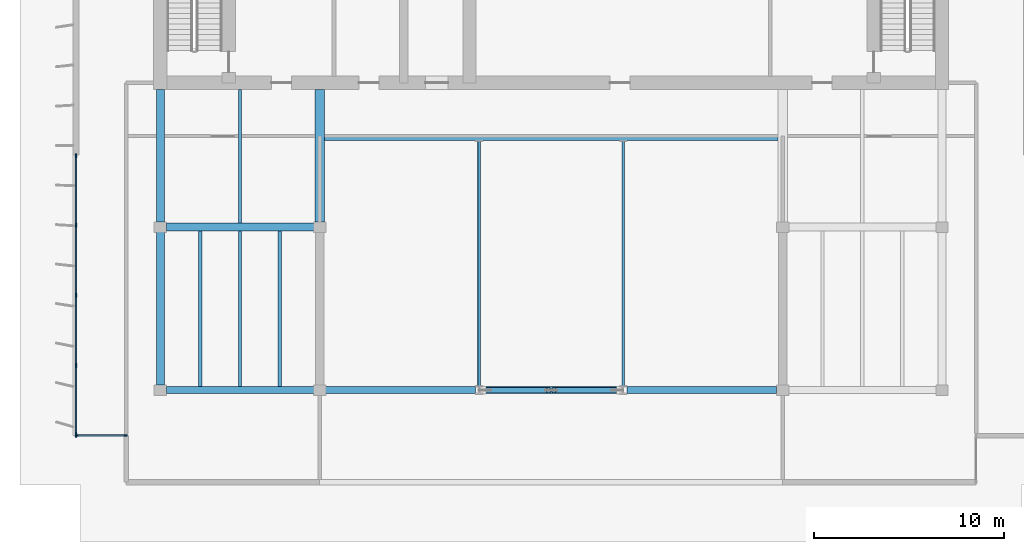
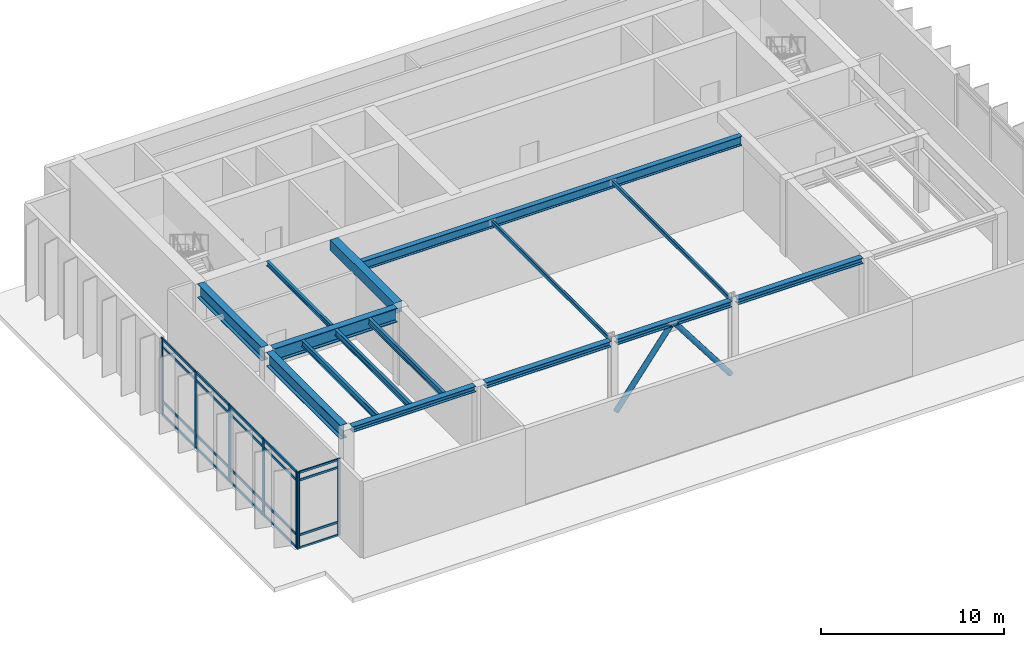
# One storey, part 2 of 10: 31 members, 13 beams, 2 elements without a shape of their own.
"""IFC4 building model written with IfcOpenShell, lengths in metres."""

from ifc_helpers import new_model, si_unit, direction, frame, origin, origin_2d, place, context, subcontext, project, spatial, rectangle, hollow_rectangle, hollow_circle, i_section, extrude, material, layer, layer_set, material_profile, profile_set, type_object, element, aggregate, save


model = new_model("IFC4")

# Units and contexts
model_context = context("Model", 3, precision=1e-05, world=origin(), true_north=direction((0.0, 1.0)))
body_context = subcontext(model_context, "Body", "Model", "MODEL_VIEW")
ifc_project = project(units=[si_unit("LENGTHUNIT", "METRE"), si_unit("AREAUNIT", "SQUARE_METRE"), si_unit("VOLUMEUNIT", "CUBIC_METRE"), si_unit("PLANEANGLEUNIT", "RADIAN"), si_unit("MASSUNIT", "GRAM", prefix="KILO")], contexts=[model_context])

# Site, building, storey
site_placement = place(None, origin())
site = spatial("IfcSite", under=ifc_project, at=site_placement, CompositionType="ELEMENT")
building_placement = place(site_placement, origin())
building = spatial("IfcBuilding", under=site, at=building_placement, Name="Caelmar Bay Residences", CompositionType="ELEMENT")
storey_placement = place(building_placement, frame((0.0, 0.0, 279.39990234375)))
storey = spatial("IfcBuildingStorey", under=building, at=storey_placement, Name="L78", CompositionType="ELEMENT", Elevation=279.39990234375)

# Beams
ifc_material_1 = material(Name="Steel ASTM A992 Grade 50", Category="steel")
ifc_material_profile_1 = material_profile(ifc_material_1, i_section(OverallWidth=0.177978515625, OverallDepth=0.406005859375, WebThickness=0.0078125, FlangeThickness=0.0126953125, FilletRadius=0.0087890625, at=origin_2d()), Name="W16X40")
ifc_profile_set_1 = profile_set([ifc_material_profile_1], Name="Steel ASTM A992 Grade 50")
beam_type_1 = type_object("IfcBeamType", Name="BM-BAL-W16X40", PredefinedType="JOIST", material=ifc_profile_set_1)
for number, where, z_axis, x_axis, name in (
    (1, (20.39990234375, 20.986572265625, 4.897216796875), (0.0, 1.0, 0.0), (-1.0, 0.0, 0.0), "L78 Composite Floor Joist 1"),
    (2, (22.5, 20.986572265625, 4.897216796875), (0.0, 1.0, 0.0), (-1.0, 0.0, 0.0), "L78 Composite Floor Joist 2"),
    (3, (24.60009765625, 20.986572265625, 4.897216796875), (0.0, 1.0, 0.0), (-1.0, 0.0, 0.0), "L78 Composite Floor Joist 3"),
):
    element("IfcBeam", number, at=place(storey_placement, frame(where, z_axis=z_axis, x_axis=x_axis)), inside=storey, type_object=beam_type_1, Name=name, PredefinedType="JOIST", context=body_context, shape_type="SweptSolid", body=[
        extrude(i_section(OverallWidth=0.177978515625, OverallDepth=0.406005859375, WebThickness=0.0078125, FlangeThickness=0.0126953125, FilletRadius=0.0087890625, at=origin_2d()), origin(), (0.0, 0.0, 1.0), 8.202392578125),
    ])
ifc_material_profile_2 = material_profile(ifc_material_1, i_section(OverallWidth=0.373046875, OverallDepth=0.373046875, WebThickness=0.016357421875, FlangeThickness=0.026123046875, FilletRadius=0.01513671875, at=origin_2d()), Name="W14X132")
ifc_profile_set_2 = profile_set([ifc_material_profile_2], Name="Steel ASTM A992 Grade 50")
beam_type_2 = type_object("IfcBeamType", Name="BM-CHD-W14X132", PredefinedType="BEAM", material=ifc_profile_set_2)
beam_1_placement = place(storey_placement, frame((18.614990234375, 20.800048828125, 4.91357421875), z_axis=(1.0, 0.0, 0.0), x_axis=(0.0, 1.0, 0.0)))
element("IfcBeam", 4, at=beam_1_placement, inside=storey, type_object=beam_type_2, Name="L78 East-West Girder Y=20.80 (18.3-26.7)", PredefinedType="BEAM", context=body_context, shape_type="SweptSolid", body=[
    extrude(i_section(OverallWidth=0.373046875, OverallDepth=0.373046875, WebThickness=0.016357421875, FlangeThickness=0.026123046875, FilletRadius=0.01513671875, at=origin_2d()), origin(), (0.0, 0.0, 1.0), 7.77001953125),
])
beam_2_placement = place(storey_placement, frame((27.014892578125, 20.800048828125, 4.91357421875), z_axis=(1.0, 0.0, 0.0), x_axis=(0.0, 1.0, 0.0)))
element("IfcBeam", 5, at=beam_2_placement, inside=storey, type_object=beam_type_2, Name="L78 East-West Girder Y=20.80 (26.7-35.1)", PredefinedType="BEAM", context=body_context, shape_type="SweptSolid", body=[
    extrude(i_section(OverallWidth=0.373046875, OverallDepth=0.373046875, WebThickness=0.016357421875, FlangeThickness=0.026123046875, FilletRadius=0.01513671875, at=origin_2d()), origin(), (0.0, 0.0, 1.0), 7.8896484375),
])
beam_3_placement = place(storey_placement, frame((35.29541015625, 20.800048828125, 4.91357421875), z_axis=(1.0, 0.0, 0.0), x_axis=(0.0, 1.0, 0.0)))
element("IfcBeam", 6, at=beam_3_placement, inside=storey, type_object=beam_type_2, Name="L78 East-West Girder Y=20.80 (35.1-42.7)", PredefinedType="BEAM", context=body_context, shape_type="SweptSolid", body=[
    extrude(i_section(OverallWidth=0.373046875, OverallDepth=0.373046875, WebThickness=0.016357421875, FlangeThickness=0.026123046875, FilletRadius=0.01513671875, at=origin_2d()), origin(), (0.0, 0.0, 1.0), 7.208984375),
])
beam_4_placement = place(storey_placement, frame((42.8955078125, 20.800048828125, 4.91357421875), z_axis=(1.0, 0.0, 0.0), x_axis=(0.0, 1.0, 0.0)))
element("IfcBeam", 7, at=beam_4_placement, inside=storey, type_object=beam_type_2, Name="L78 East-West Girder Y=20.80 (42.7-51.1)", PredefinedType="BEAM", context=body_context, shape_type="SweptSolid", body=[
    extrude(i_section(OverallWidth=0.373046875, OverallDepth=0.373046875, WebThickness=0.016357421875, FlangeThickness=0.026123046875, FilletRadius=0.01513671875, at=origin_2d()), origin(), (0.0, 0.0, 1.0), 7.889404296875),
])
ifc_material_profile_3 = material_profile(ifc_material_1, i_section(OverallWidth=0.422119140625, OverallDepth=0.925048828125, WebThickness=0.021240234375, FlangeThickness=0.03662109375, FilletRadius=0.020263671875, at=origin_2d()), Name="W36X262")
ifc_profile_set_3 = profile_set([ifc_material_profile_3], Name="Steel ASTM A992 Grade 50")
beam_type_3 = type_object("IfcBeamType", Name="BM-GRD-W36X262", PredefinedType="BEAM", material=ifc_profile_set_3)
beam_5_placement = place(storey_placement, frame((18.614990234375, 29.39990234375, 4.6376953125), z_axis=(1.0, 0.0, 0.0), x_axis=(0.0, 1.0, 0.0)))
element("IfcBeam", 8, at=beam_5_placement, inside=storey, type_object=beam_type_3, Name="L78 East-West Girder Y=29.40 (18.3-26.7)", PredefinedType="BEAM", context=body_context, shape_type="SweptSolid", body=[
    extrude(i_section(OverallWidth=0.422119140625, OverallDepth=0.925048828125, WebThickness=0.021240234375, FlangeThickness=0.03662109375, FilletRadius=0.020263671875, at=origin_2d()), origin(), (0.0, 0.0, 1.0), 7.77001953125),
])
beam_6_placement = place(storey_placement, frame((18.300048828125, 29.6650390625, 4.6376953125), z_axis=(0.0, 1.0, 0.0), x_axis=(-1.0, 0.0, 0.0)))
element("IfcBeam", 9, at=beam_6_placement, inside=storey, type_object=beam_type_3, Name="L78 Core Tie Girder X=18.30", PredefinedType="BEAM", context=body_context, shape_type="SweptSolid", body=[
    extrude(i_section(OverallWidth=0.422119140625, OverallDepth=0.925048828125, WebThickness=0.021240234375, FlangeThickness=0.03662109375, FilletRadius=0.020263671875, at=origin_2d()), origin(), (0.0, 0.0, 1.0), 6.98486328125),
])
beam_7_placement = place(storey_placement, frame((18.300048828125, 21.06494140625, 4.6376953125), z_axis=(0.0, 1.0, 0.0), x_axis=(-1.0, 0.0, 0.0)))
element("IfcBeam", 10, at=beam_7_placement, inside=storey, type_object=beam_type_3, Name="L78 North-South Girder X=18.30 (20.8-29.4)", PredefinedType="BEAM", context=body_context, shape_type="SweptSolid", body=[
    extrude(i_section(OverallWidth=0.422119140625, OverallDepth=0.925048828125, WebThickness=0.021240234375, FlangeThickness=0.03662109375, FilletRadius=0.020263671875, at=origin_2d()), origin(), (0.0, 0.0, 1.0), 8.070068359375),
])
ifc_material_profile_4 = material_profile(ifc_material_1, i_section(OverallWidth=0.1650390625, OverallDepth=0.31005859375, WebThickness=0.005859375, FlangeThickness=0.009765625, FilletRadius=0.007568359375, at=origin_2d()), Name="W12X26")
ifc_profile_set_4 = profile_set([ifc_material_profile_4], Name="Steel ASTM A992 Grade 50")
beam_type_4 = type_object("IfcBeamType", Name="BM-JST-W12X26", PredefinedType="JOIST", material=ifc_profile_set_4)
beam_8_placement = place(storey_placement, frame((22.5, 29.611083984375, 4.945068359375), z_axis=(0.0, 1.0, 0.0), x_axis=(-1.0, 0.0, 0.0)))
element("IfcBeam", 11, at=beam_8_placement, inside=storey, type_object=beam_type_4, Name="L78 Core-Band Composite Joist 7", PredefinedType="JOIST", context=body_context, shape_type="SweptSolid", body=[
    extrude(i_section(OverallWidth=0.1650390625, OverallDepth=0.31005859375, WebThickness=0.005859375, FlangeThickness=0.009765625, FilletRadius=0.007568359375, at=origin_2d()), origin(), (0.0, 0.0, 1.0), 7.038818359375),
])
ifc_material_2 = material(Name="Concrete f'c 55 MPa (8,000 psi)", Category="concrete")
ifc_material_profile_5 = material_profile(ifc_material_2, rectangle(XDim=0.5, YDim=0.699951171875, at=origin_2d()), Name="RC-BM-500X700")
ifc_profile_set_5 = profile_set([ifc_material_profile_5], Name="Concrete f'c 55 MPa (8,000 psi)")
beam_type_5 = type_object("IfcBeamType", Name="BM-RC-500X700", PredefinedType="LINTEL", material=ifc_profile_set_5)
beam_9_placement = place(storey_placement, frame((26.699951171875, 29.6650390625, 4.75), z_axis=(0.0, 1.0, 0.0), x_axis=(-1.0, 0.0, 0.0)))
element("IfcBeam", 12, at=beam_9_placement, inside=storey, type_object=beam_type_5, Name="L78 Shear-Wall Corridor Coupling Lintel W5", PredefinedType="LINTEL", context=body_context, shape_type="SweptSolid", body=[
    extrude(rectangle(XDim=0.5, YDim=0.699951171875, at=origin_2d()), origin(), (0.0, 0.0, 1.0), 6.98486328125),
])
ifc_material_profile_6 = material_profile(ifc_material_1, i_section(OverallWidth=0.324951171875, OverallDepth=0.616943359375, WebThickness=0.013916015625, FlangeThickness=0.021484375, FilletRadius=0.0126953125, at=origin_2d()), Name="W24X117")
ifc_profile_set_6 = profile_set([ifc_material_profile_6], Name="Steel ASTM A992 Grade 50")
beam_type_6 = type_object("IfcBeamType", Name="BM-SPN-W24X117", PredefinedType="SPANDREL", material=ifc_profile_set_6)
beam_10_placement = place(storey_placement, frame((26.949951171875, 34.112548828125, 4.79150390625), z_axis=(1.0, 0.0, 0.0), x_axis=(0.0, 1.0, 0.0)))
element("IfcBeam", 13, at=beam_10_placement, inside=storey, type_object=beam_type_6, Name="L78 Venturi Slot North Edge Spandrel Girder", PredefinedType="SPANDREL", context=body_context, shape_type="SweptSolid", body=[
    extrude(i_section(OverallWidth=0.324951171875, OverallDepth=0.616943359375, WebThickness=0.013916015625, FlangeThickness=0.021484375, FilletRadius=0.0126953125, at=origin_2d()), origin(), (0.0, 0.0, 1.0), 23.900146484375),
])

# Curtain wall, members
ifc_material_3 = material(Name="Anodised bronze aluminium 6063-T6 and laminated glass", Category="aluminium")
ifc_layer_1 = layer(ifc_material_3, 0.179931640625)
ifc_layer_set_1 = layer_set([ifc_layer_1], Name="Anodised bronze aluminium 6063-T6 and laminated glass")
curtain_wall_type_1 = type_object("IfcCurtainWallType", Name="CW6-NTC", PredefinedType="NOTDEFINED", material=ifc_layer_set_1)
curtain_wall_1_placement = place(storey_placement, origin())
curtain_wall_1 = element("IfcCurtainWall", 14, at=curtain_wall_1_placement, inside=storey, type_object=curtain_wall_type_1, Name="CW6 curtain wall L78", PredefinedType="NOTDEFINED")
ifc_material_4 = material(Name="Anodised bronze aluminium 6063-T6", Category="aluminium")
ifc_material_profile_7 = material_profile(ifc_material_4, rectangle(XDim=0.080078125, YDim=0.179931640625, at=origin_2d()), Name="CWM-80X180")
ifc_profile_set_7 = profile_set([ifc_material_profile_7], Name="Anodised bronze aluminium 6063-T6")
member_type_1 = type_object("IfcMemberType", Name="CWM-180", PredefinedType="MULLION", material=ifc_profile_set_7)
member_1_placement = place(storey_placement, frame((13.889892578125, 18.39990234375, 0.0), z_axis=(0.0, 0.0, 1.0), x_axis=(0.0, 1.0, 0.0)))
member_1 = element("IfcMember", 15, at=member_1_placement, type_object=member_type_1, Name="CW6 mullion 1", PredefinedType="MULLION", context=body_context, shape_type="SweptSolid", body=[
    extrude(rectangle(XDim=0.080078125, YDim=0.179931640625, at=origin_2d()), origin(), (0.0, 0.0, 1.0), 5.10009765625),
])
member_2_placement = place(storey_placement, frame((16.4599609375, 18.39990234375, 0.0), z_axis=(0.0, 0.0, 1.0), x_axis=(0.0, 1.0, 0.0)))
member_2 = element("IfcMember", 16, at=member_2_placement, type_object=member_type_1, Name="CW6 mullion 2", PredefinedType="MULLION", context=body_context, shape_type="SweptSolid", body=[
    extrude(rectangle(XDim=0.080078125, YDim=0.179931640625, at=origin_2d()), origin(), (0.0, 0.0, 1.0), 5.10009765625),
])

ifc_layer_2 = layer(ifc_material_3, 0.179931640625)
ifc_layer_set_2 = layer_set([ifc_layer_2], Name="Anodised bronze aluminium 6063-T6 and laminated glass")
curtain_wall_type_2 = type_object("IfcCurtainWallType", Name="CW7-CRN", PredefinedType="NOTDEFINED", material=ifc_layer_set_2)
curtain_wall_2_placement = place(storey_placement, origin())
curtain_wall_2 = element("IfcCurtainWall", 17, at=curtain_wall_2_placement, inside=storey, type_object=curtain_wall_type_2, Name="CW7 curtain wall L78", PredefinedType="NOTDEFINED")
ifc_material_profile_8 = material_profile(ifc_material_4, rectangle(XDim=0.080078125, YDim=0.219970703125, at=origin_2d()), Name="CWM-80X220")
ifc_profile_set_8 = profile_set([ifc_material_profile_8], Name="Anodised bronze aluminium 6063-T6")
member_type_2 = type_object("IfcMemberType", Name="CWM-220", PredefinedType="MULLION", material=ifc_profile_set_8)
member_3_placement = place(storey_placement, frame((13.85009765625, 18.43994140625, 0.0), z_axis=(0.0, 0.0, 1.0), x_axis=(-1.0, 0.0, 0.0)))
member_3 = element("IfcMember", 18, at=member_3_placement, type_object=member_type_2, Name="CW7 mullion 1", PredefinedType="MULLION", context=body_context, shape_type="SweptSolid", body=[
    extrude(rectangle(XDim=0.080078125, YDim=0.219970703125, at=origin_2d()), origin(), (0.0, 0.0, 1.0), 5.10009765625),
])
member_4_placement = place(storey_placement, frame((13.85009765625, 22.10009765625, 0.0), z_axis=(0.0, 0.0, 1.0), x_axis=(-1.0, 0.0, 0.0)))
member_4 = element("IfcMember", 19, at=member_4_placement, type_object=member_type_2, Name="CW7 mullion 2", PredefinedType="MULLION", context=body_context, shape_type="SweptSolid", body=[
    extrude(rectangle(XDim=0.080078125, YDim=0.219970703125, at=origin_2d()), origin(), (0.0, 0.0, 1.0), 5.10009765625),
])
member_5_placement = place(storey_placement, frame((13.85009765625, 25.800048828125, 0.0), z_axis=(0.0, 0.0, 1.0), x_axis=(-1.0, 0.0, 0.0)))
member_5 = element("IfcMember", 20, at=member_5_placement, type_object=member_type_2, Name="CW7 mullion 3", PredefinedType="MULLION", context=body_context, shape_type="SweptSolid", body=[
    extrude(rectangle(XDim=0.080078125, YDim=0.219970703125, at=origin_2d()), origin(), (0.0, 0.0, 1.0), 5.10009765625),
])
member_6_placement = place(storey_placement, frame((13.85009765625, 29.5, 0.0), z_axis=(0.0, 0.0, 1.0), x_axis=(-1.0, 0.0, 0.0)))
member_6 = element("IfcMember", 21, at=member_6_placement, type_object=member_type_2, Name="CW7 mullion 4", PredefinedType="MULLION", context=body_context, shape_type="SweptSolid", body=[
    extrude(rectangle(XDim=0.080078125, YDim=0.219970703125, at=origin_2d()), origin(), (0.0, 0.0, 1.0), 5.10009765625),
])
member_7_placement = place(storey_placement, frame((13.85009765625, 33.159912109375, 0.0), z_axis=(0.0, 0.0, 1.0), x_axis=(-1.0, 0.0, 0.0)))
member_7 = element("IfcMember", 22, at=member_7_placement, type_object=member_type_2, Name="CW7 mullion 5", PredefinedType="MULLION", context=body_context, shape_type="SweptSolid", body=[
    extrude(rectangle(XDim=0.080078125, YDim=0.219970703125, at=origin_2d()), origin(), (0.0, 0.0, 1.0), 5.10009765625),
])

# Member
ifc_material_profile_9 = material_profile(ifc_material_4, rectangle(XDim=0.080078125, YDim=0.139892578125, at=origin_2d()), Name="CWT-80X140")
ifc_profile_set_9 = profile_set([ifc_material_profile_9], Name="Anodised bronze aluminium 6063-T6")
member_type_3 = type_object("IfcMemberType", Name="CWT-140", PredefinedType="NOTDEFINED", material=ifc_profile_set_9)
member_8_placement = place(storey_placement, frame((13.929931640625, 18.39990234375, 0.0400390625), z_axis=(1.0, 0.0, 0.0), x_axis=(0.0, 1.0, 0.0)))
member_8 = element("IfcMember", 23, at=member_8_placement, type_object=member_type_3, Name="CW6 transom 1.1", ObjectType="TRANSOM", PredefinedType="USERDEFINED", context=body_context, shape_type="SweptSolid", body=[
    extrude(rectangle(XDim=0.080078125, YDim=0.139892578125, at=origin_2d()), origin(), (0.0, 0.0, 1.0), 2.489990234375),
])

member_9_placement = place(storey_placement, frame((13.929931640625, 18.39990234375, 0.900146484375), z_axis=(1.0, 0.0, 0.0), x_axis=(0.0, 1.0, 0.0)))
member_9 = element("IfcMember", 24, at=member_9_placement, type_object=member_type_3, Name="CW6 transom 1.2", ObjectType="TRANSOM", PredefinedType="USERDEFINED", context=body_context, shape_type="SweptSolid", body=[
    extrude(rectangle(XDim=0.080078125, YDim=0.139892578125, at=origin_2d()), origin(), (0.0, 0.0, 1.0), 2.489990234375),
])

member_10_placement = place(storey_placement, frame((13.929931640625, 18.39990234375, 4.550048828125), z_axis=(1.0, 0.0, 0.0), x_axis=(0.0, 1.0, 0.0)))
member_10 = element("IfcMember", 25, at=member_10_placement, type_object=member_type_3, Name="CW6 transom 1.3", ObjectType="TRANSOM", PredefinedType="USERDEFINED", context=body_context, shape_type="SweptSolid", body=[
    extrude(rectangle(XDim=0.080078125, YDim=0.139892578125, at=origin_2d()), origin(), (0.0, 0.0, 1.0), 2.489990234375),
])

member_11_placement = place(storey_placement, frame((13.929931640625, 18.39990234375, 5.06005859375), z_axis=(1.0, 0.0, 0.0), x_axis=(0.0, 1.0, 0.0)))
member_11 = element("IfcMember", 26, at=member_11_placement, type_object=member_type_3, Name="CW6 transom 1.4", ObjectType="TRANSOM", PredefinedType="USERDEFINED", context=body_context, shape_type="SweptSolid", body=[
    extrude(rectangle(XDim=0.080078125, YDim=0.139892578125, at=origin_2d()), origin(), (0.0, 0.0, 1.0), 2.489990234375),
])

aggregate(curtain_wall_1, [member_1, member_2, member_8, member_9, member_10, member_11])

ifc_material_profile_10 = material_profile(ifc_material_4, rectangle(XDim=0.080078125, YDim=0.159912109375, at=origin_2d()), Name="CWT-80X160")
ifc_profile_set_10 = profile_set([ifc_material_profile_10], Name="Anodised bronze aluminium 6063-T6")
member_type_4 = type_object("IfcMemberType", Name="CWT-160", PredefinedType="NOTDEFINED", material=ifc_profile_set_10)
member_12_placement = place(storey_placement, frame((13.85009765625, 18.47998046875, 0.0400390625), z_axis=(0.0, 1.0, 0.0), x_axis=(-1.0, 0.0, 0.0)))
member_12 = element("IfcMember", 27, at=member_12_placement, type_object=member_type_4, Name="CW7 transom 1.1", ObjectType="TRANSOM", PredefinedType="USERDEFINED", context=body_context, shape_type="SweptSolid", body=[
    extrude(rectangle(XDim=0.080078125, YDim=0.159912109375, at=origin_2d()), origin(), (0.0, 0.0, 1.0), 3.580078125),
])

member_13_placement = place(storey_placement, frame((13.85009765625, 18.47998046875, 0.900146484375), z_axis=(0.0, 1.0, 0.0), x_axis=(-1.0, 0.0, 0.0)))
member_13 = element("IfcMember", 28, at=member_13_placement, type_object=member_type_4, Name="CW7 transom 1.2", ObjectType="TRANSOM", PredefinedType="USERDEFINED", context=body_context, shape_type="SweptSolid", body=[
    extrude(rectangle(XDim=0.080078125, YDim=0.159912109375, at=origin_2d()), origin(), (0.0, 0.0, 1.0), 3.580078125),
])

member_14_placement = place(storey_placement, frame((13.85009765625, 18.47998046875, 4.550048828125), z_axis=(0.0, 1.0, 0.0), x_axis=(-1.0, 0.0, 0.0)))
member_14 = element("IfcMember", 29, at=member_14_placement, type_object=member_type_4, Name="CW7 transom 1.3", ObjectType="TRANSOM", PredefinedType="USERDEFINED", context=body_context, shape_type="SweptSolid", body=[
    extrude(rectangle(XDim=0.080078125, YDim=0.159912109375, at=origin_2d()), origin(), (0.0, 0.0, 1.0), 3.580078125),
])

member_15_placement = place(storey_placement, frame((13.85009765625, 18.47998046875, 5.06005859375), z_axis=(0.0, 1.0, 0.0), x_axis=(-1.0, 0.0, 0.0)))
member_15 = element("IfcMember", 30, at=member_15_placement, type_object=member_type_4, Name="CW7 transom 1.4", ObjectType="TRANSOM", PredefinedType="USERDEFINED", context=body_context, shape_type="SweptSolid", body=[
    extrude(rectangle(XDim=0.080078125, YDim=0.159912109375, at=origin_2d()), origin(), (0.0, 0.0, 1.0), 3.580078125),
])

member_16_placement = place(storey_placement, frame((13.85009765625, 22.139892578125, 0.0400390625), z_axis=(0.0, 1.0, 0.0), x_axis=(-1.0, 0.0, 0.0)))
member_16 = element("IfcMember", 31, at=member_16_placement, type_object=member_type_4, Name="CW7 transom 2.1", ObjectType="TRANSOM", PredefinedType="USERDEFINED", context=body_context, shape_type="SweptSolid", body=[
    extrude(rectangle(XDim=0.080078125, YDim=0.159912109375, at=origin_2d()), origin(), (0.0, 0.0, 1.0), 3.6201171875),
])

member_17_placement = place(storey_placement, frame((13.85009765625, 22.139892578125, 0.900146484375), z_axis=(0.0, 1.0, 0.0), x_axis=(-1.0, 0.0, 0.0)))
member_17 = element("IfcMember", 32, at=member_17_placement, type_object=member_type_4, Name="CW7 transom 2.2", ObjectType="TRANSOM", PredefinedType="USERDEFINED", context=body_context, shape_type="SweptSolid", body=[
    extrude(rectangle(XDim=0.080078125, YDim=0.159912109375, at=origin_2d()), origin(), (0.0, 0.0, 1.0), 3.6201171875),
])

member_18_placement = place(storey_placement, frame((13.85009765625, 22.139892578125, 4.550048828125), z_axis=(0.0, 1.0, 0.0), x_axis=(-1.0, 0.0, 0.0)))
member_18 = element("IfcMember", 33, at=member_18_placement, type_object=member_type_4, Name="CW7 transom 2.3", ObjectType="TRANSOM", PredefinedType="USERDEFINED", context=body_context, shape_type="SweptSolid", body=[
    extrude(rectangle(XDim=0.080078125, YDim=0.159912109375, at=origin_2d()), origin(), (0.0, 0.0, 1.0), 3.6201171875),
])

member_19_placement = place(storey_placement, frame((13.85009765625, 22.139892578125, 5.06005859375), z_axis=(0.0, 1.0, 0.0), x_axis=(-1.0, 0.0, 0.0)))
member_19 = element("IfcMember", 34, at=member_19_placement, type_object=member_type_4, Name="CW7 transom 2.4", ObjectType="TRANSOM", PredefinedType="USERDEFINED", context=body_context, shape_type="SweptSolid", body=[
    extrude(rectangle(XDim=0.080078125, YDim=0.159912109375, at=origin_2d()), origin(), (0.0, 0.0, 1.0), 3.6201171875),
])

member_20_placement = place(storey_placement, frame((13.85009765625, 25.840087890625, 0.0400390625), z_axis=(0.0, 1.0, 0.0), x_axis=(-1.0, 0.0, 0.0)))
member_20 = element("IfcMember", 35, at=member_20_placement, type_object=member_type_4, Name="CW7 transom 3.1", ObjectType="TRANSOM", PredefinedType="USERDEFINED", context=body_context, shape_type="SweptSolid", body=[
    extrude(rectangle(XDim=0.080078125, YDim=0.159912109375, at=origin_2d()), origin(), (0.0, 0.0, 1.0), 3.619873046875),
])

member_21_placement = place(storey_placement, frame((13.85009765625, 25.840087890625, 0.900146484375), z_axis=(0.0, 1.0, 0.0), x_axis=(-1.0, 0.0, 0.0)))
member_21 = element("IfcMember", 36, at=member_21_placement, type_object=member_type_4, Name="CW7 transom 3.2", ObjectType="TRANSOM", PredefinedType="USERDEFINED", context=body_context, shape_type="SweptSolid", body=[
    extrude(rectangle(XDim=0.080078125, YDim=0.159912109375, at=origin_2d()), origin(), (0.0, 0.0, 1.0), 3.619873046875),
])

member_22_placement = place(storey_placement, frame((13.85009765625, 25.840087890625, 4.550048828125), z_axis=(0.0, 1.0, 0.0), x_axis=(-1.0, 0.0, 0.0)))
member_22 = element("IfcMember", 37, at=member_22_placement, type_object=member_type_4, Name="CW7 transom 3.3", ObjectType="TRANSOM", PredefinedType="USERDEFINED", context=body_context, shape_type="SweptSolid", body=[
    extrude(rectangle(XDim=0.080078125, YDim=0.159912109375, at=origin_2d()), origin(), (0.0, 0.0, 1.0), 3.619873046875),
])

member_23_placement = place(storey_placement, frame((13.85009765625, 25.840087890625, 5.06005859375), z_axis=(0.0, 1.0, 0.0), x_axis=(-1.0, 0.0, 0.0)))
member_23 = element("IfcMember", 38, at=member_23_placement, type_object=member_type_4, Name="CW7 transom 3.4", ObjectType="TRANSOM", PredefinedType="USERDEFINED", context=body_context, shape_type="SweptSolid", body=[
    extrude(rectangle(XDim=0.080078125, YDim=0.159912109375, at=origin_2d()), origin(), (0.0, 0.0, 1.0), 3.619873046875),
])

member_24_placement = place(storey_placement, frame((13.85009765625, 29.5400390625, 0.0400390625), z_axis=(0.0, 1.0, 0.0), x_axis=(-1.0, 0.0, 0.0)))
member_24 = element("IfcMember", 39, at=member_24_placement, type_object=member_type_4, Name="CW7 transom 4.1", ObjectType="TRANSOM", PredefinedType="USERDEFINED", context=body_context, shape_type="SweptSolid", body=[
    extrude(rectangle(XDim=0.080078125, YDim=0.159912109375, at=origin_2d()), origin(), (0.0, 0.0, 1.0), 3.580078125),
])

member_25_placement = place(storey_placement, frame((13.85009765625, 29.5400390625, 0.900146484375), z_axis=(0.0, 1.0, 0.0), x_axis=(-1.0, 0.0, 0.0)))
member_25 = element("IfcMember", 40, at=member_25_placement, type_object=member_type_4, Name="CW7 transom 4.2", ObjectType="TRANSOM", PredefinedType="USERDEFINED", context=body_context, shape_type="SweptSolid", body=[
    extrude(rectangle(XDim=0.080078125, YDim=0.159912109375, at=origin_2d()), origin(), (0.0, 0.0, 1.0), 3.580078125),
])

member_26_placement = place(storey_placement, frame((13.85009765625, 29.5400390625, 4.550048828125), z_axis=(0.0, 1.0, 0.0), x_axis=(-1.0, 0.0, 0.0)))
member_26 = element("IfcMember", 41, at=member_26_placement, type_object=member_type_4, Name="CW7 transom 4.3", ObjectType="TRANSOM", PredefinedType="USERDEFINED", context=body_context, shape_type="SweptSolid", body=[
    extrude(rectangle(XDim=0.080078125, YDim=0.159912109375, at=origin_2d()), origin(), (0.0, 0.0, 1.0), 3.580078125),
])

member_27_placement = place(storey_placement, frame((13.85009765625, 29.5400390625, 5.06005859375), z_axis=(0.0, 1.0, 0.0), x_axis=(-1.0, 0.0, 0.0)))
member_27 = element("IfcMember", 42, at=member_27_placement, type_object=member_type_4, Name="CW7 transom 4.4", ObjectType="TRANSOM", PredefinedType="USERDEFINED", context=body_context, shape_type="SweptSolid", body=[
    extrude(rectangle(XDim=0.080078125, YDim=0.159912109375, at=origin_2d()), origin(), (0.0, 0.0, 1.0), 3.580078125),
])

aggregate(curtain_wall_2, [member_3, member_4, member_5, member_6, member_7, member_12, member_13, member_14, member_15, member_16, member_17, member_18, member_19, member_20, member_21, member_22, member_23, member_24, member_25, member_26, member_27])

# Members
ifc_material_5 = material(Name="Steel ASTM A500 Grade C", Category="steel")
ifc_material_profile_11 = material_profile(ifc_material_5, hollow_circle(Radius=0.162109375, WallThickness=0.014892578125, at=origin_2d()), Name="CHS324X15.9")
ifc_profile_set_11 = profile_set([ifc_material_profile_11], Name="Steel ASTM A500 Grade C")
member_type_5 = type_object("IfcMemberType", Name="MEM-PRT-CHS324", PredefinedType="BRACE", material=ifc_profile_set_11)
member_28_placement = place(storey_placement, frame((35.29541015625, 20.800048828125, 0.18017578125), z_axis=(0.604803355184, 0.0, 0.796374849903), x_axis=(0.0, 1.0, 0.0)))
element("IfcMember", 43, at=member_28_placement, inside=storey, type_object=member_type_5, Name="L78 Venturi Portal Central K-Brace A", PredefinedType="BRACE", context=body_context, shape_type="SweptSolid", body=[
    extrude(hollow_circle(Radius=0.162109375, WallThickness=0.014892578125, at=origin_2d()), origin(), (0.0, 0.0, 1.0), 5.728515625),
])
member_29_placement = place(storey_placement, frame((42.50439453125, 20.800048828125, 0.18017578125), z_axis=(-0.604776324748, 0.0, 0.796395377325), x_axis=(0.0, -1.0, 0.0)))
element("IfcMember", 44, at=member_29_placement, inside=storey, type_object=member_type_5, Name="L78 Venturi Portal Central K-Brace B", PredefinedType="BRACE", context=body_context, shape_type="SweptSolid", body=[
    extrude(hollow_circle(Radius=0.162109375, WallThickness=0.014892578125, at=origin_2d()), origin(), (0.0, 0.0, 1.0), 5.728271484375),
])
ifc_material_profile_12 = material_profile(ifc_material_5, hollow_rectangle(XDim=0.152099609375, YDim=0.25390625, WallThickness=0.01171875, InnerFilletRadius=0.01171875, OuterFilletRadius=0.023681640625, at=origin_2d()), Name="HSS250X150X12.7")
ifc_profile_set_12 = profile_set([ifc_material_profile_12], Name="Steel ASTM A500 Grade C")
member_type_6 = type_object("IfcMemberType", Name="MEM-STR-HSS250X150", PredefinedType="STRUT", material=ifc_profile_set_12)
for number, where, z_axis, x_axis, name in (
    (45, (35.10009765625, 21.007080078125, 4.900146484375), (0.0, 1.0, 0.0), (-1.0, 0.0, 0.0), "Venturi Portal Longitudinal Tie Strut 1"),
    (46, (42.699951171875, 21.007080078125, 4.900146484375), (0.0, 1.0, 0.0), (-1.0, 0.0, 0.0), "Venturi Portal Longitudinal Tie Strut 2"),
):
    element("IfcMember", number, at=place(storey_placement, frame(where, z_axis=z_axis, x_axis=x_axis)), inside=storey, type_object=member_type_6, Name=name, PredefinedType="STRUT", context=body_context, shape_type="SweptSolid", body=[
        extrude(hollow_rectangle(XDim=0.152099609375, YDim=0.25390625, WallThickness=0.01171875, InnerFilletRadius=0.01171875, OuterFilletRadius=0.023681640625, at=origin_2d()), origin(), (0.0, 0.0, 1.0), 12.94287109375),
    ])

save(model, "model.ifc")
